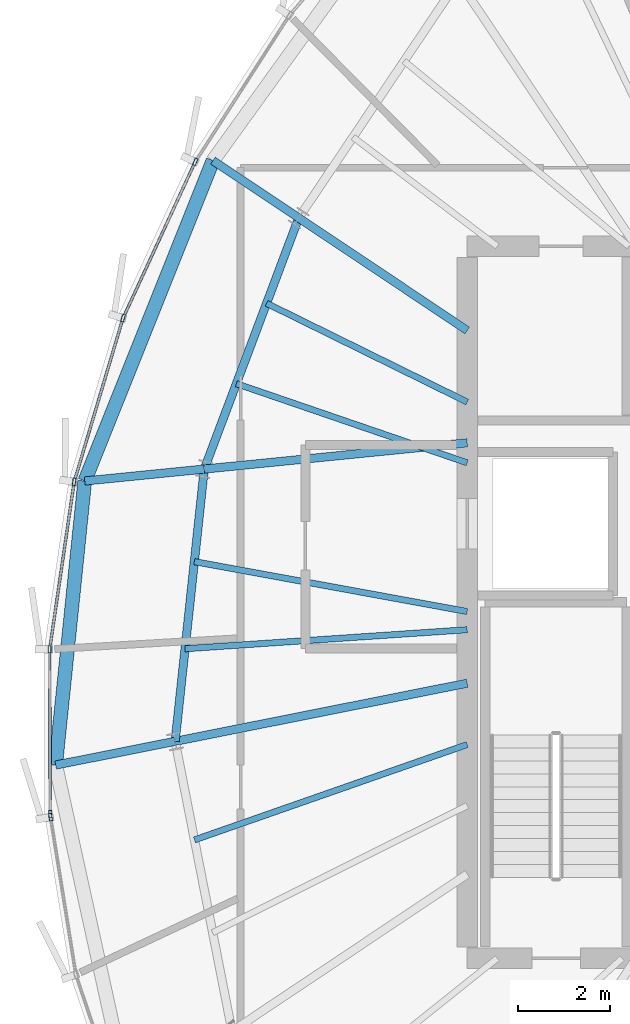
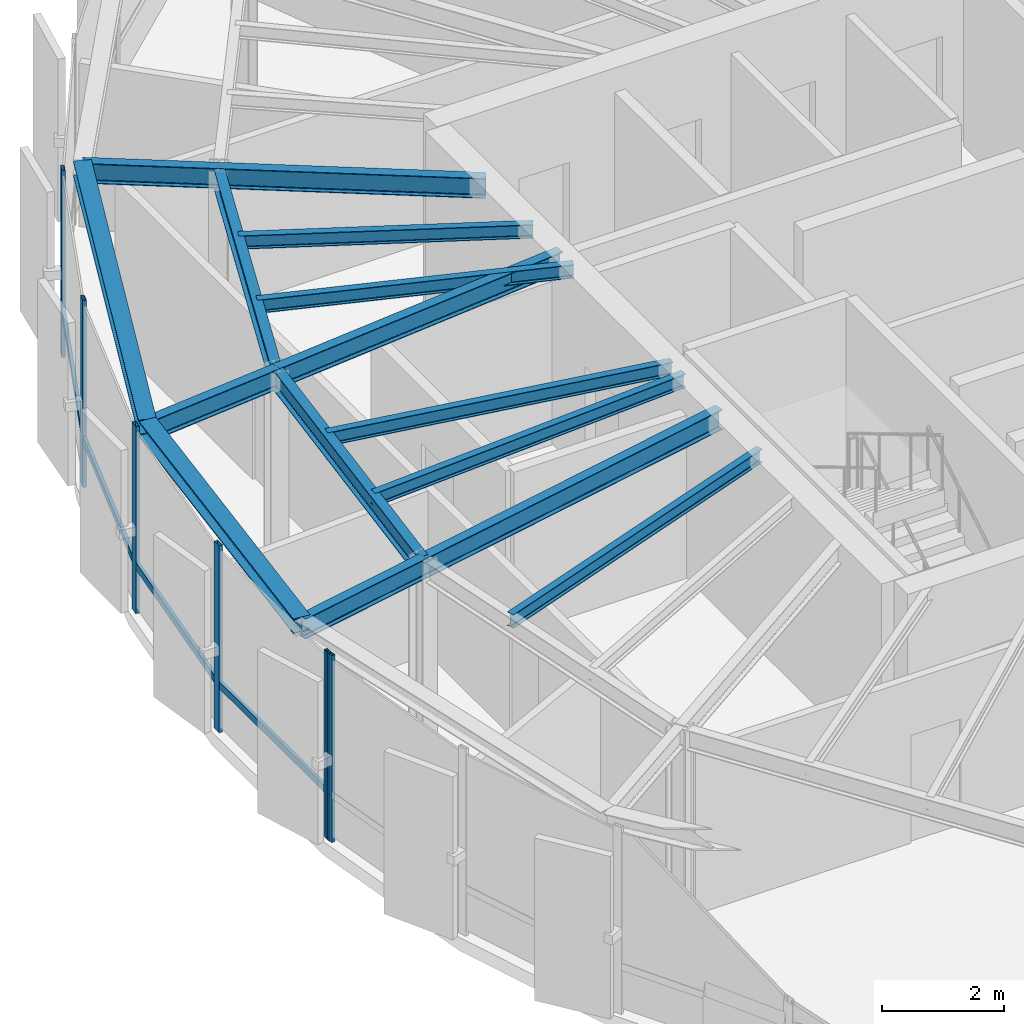
# One storey, part 10 of 27: 15 beams, 10 members, 2 elements without a shape of their own.
"""IFC4 building model written with IfcOpenShell, lengths in metres."""

from ifc_helpers import new_model, si_unit, direction, frame, origin, origin_2d, place, context, subcontext, project, spatial, hollow_rectangle, i_section, extrude, source, transform, mapped, material, layer, layer_set, material_profile, profile_set, type_object, element, aggregate, save


model = new_model("IFC4")

# Units and contexts
model_context = context("Model", 3, precision=1e-05, world=origin(), true_north=direction((0.0, 1.0)))
body_context = subcontext(model_context, "Body", "Model", "MODEL_VIEW")
ifc_project = project(units=[si_unit("LENGTHUNIT", "METRE"), si_unit("AREAUNIT", "SQUARE_METRE"), si_unit("VOLUMEUNIT", "CUBIC_METRE"), si_unit("PLANEANGLEUNIT", "RADIAN"), si_unit("MASSUNIT", "GRAM", prefix="KILO"), si_unit("THERMODYNAMICTEMPERATUREUNIT", "KELVIN")], contexts=[model_context])

# Site, building, storey
site_placement = place(None, origin())
site = spatial("IfcSite", under=ifc_project, at=site_placement, CompositionType="ELEMENT")
building_placement = place(site_placement, origin())
building = spatial("IfcBuilding", under=site, at=building_placement, Name="Kethvar Cultural Tower", CompositionType="ELEMENT")
storey_placement = place(building_placement, frame((0.0, 0.0, 312.300048828125)))
storey = spatial("IfcBuildingStorey", under=building, at=storey_placement, Name="L83", CompositionType="ELEMENT", Elevation=312.300048828125)

# Beams
ifc_material_1 = material(Name="Steel S355J2", Category="steel")
ifc_material_profile_1 = material_profile(ifc_material_1, i_section(OverallWidth=0.135009765625, OverallDepth=0.27001953125, WebThickness=0.006591796875, FlangeThickness=0.01025390625, FilletRadius=0.014892578125, at=origin_2d()), Name="Steel S355J2 — IPE270")
ifc_profile_set_1 = profile_set([ifc_material_profile_1], Name="Steel S355J2 — IPE270")
beam_type_1 = type_object("IfcBeamType", Name="BM-J270", PredefinedType="JOIST", material=ifc_profile_set_1)
shared_shape_1 = source(origin(), body_context, "Body", "SweptSolid", [
    extrude(i_section(OverallWidth=0.135009765625, OverallDepth=0.27001953125, WebThickness=0.006591796875, FlangeThickness=0.01025390625, FilletRadius=0.014892578125, at=origin_2d()), origin(), (0.0, 0.0, 1.0), 4.8359375),
])
beam_1_placement = place(storey_placement, frame((38.0, 32.1318359375, 3.597900390625), z_axis=(-0.897196527088, 0.441631511308, 0.0), x_axis=(-0.441631511308, -0.897196527088, 0.0)))
element("IfcBeam", 1, at=beam_1_placement, inside=storey, type_object=beam_type_1, Name="L83 Composite Floor Joist J-07A", PredefinedType="JOIST", context=body_context, shape_type="MappedRepresentation", body=[
    mapped(shared_shape_1, transform((0.0, 0.0, 0.0), scale=1.0)),
])
shared_shape_2 = source(origin(), body_context, "Body", "SweptSolid", [
    extrude(i_section(OverallWidth=0.135009765625, OverallDepth=0.27001953125, WebThickness=0.006591796875, FlangeThickness=0.01025390625, FilletRadius=0.014892578125, at=origin_2d()), origin(), (0.0, 0.0, 1.0), 5.2783203125),
])
beam_2_placement = place(storey_placement, frame((38.0, 30.817138671875, 3.597900390625), z_axis=(-0.945942702368, 0.324333784607, 0.0), x_axis=(-0.324333784607, -0.945942702368, 0.0)))
element("IfcBeam", 2, at=beam_2_placement, inside=storey, type_object=beam_type_1, Name="L83 Composite Floor Joist J-07B", PredefinedType="JOIST", context=body_context, shape_type="MappedRepresentation", body=[
    mapped(shared_shape_2, transform((0.0, 0.0, 0.0), scale=1.0)),
])
shared_shape_3 = source(origin(), body_context, "Body", "SweptSolid", [
    extrude(i_section(OverallWidth=0.135009765625, OverallDepth=0.27001953125, WebThickness=0.006591796875, FlangeThickness=0.01025390625, FilletRadius=0.014892578125, at=origin_2d()), origin(), (0.0, 0.0, 1.0), 5.99951171875),
])
beam_3_placement = place(storey_placement, frame((38.0, 27.60009765625, 3.597900390625), z_axis=(-0.983676616141, 0.179945310742, 0.0), x_axis=(-0.179945310742, -0.983676616141, 0.0)))
element("IfcBeam", 3, at=beam_3_placement, inside=storey, type_object=beam_type_1, Name="L83 Composite Floor Joist J-08A", PredefinedType="JOIST", context=body_context, shape_type="MappedRepresentation", body=[
    mapped(shared_shape_3, transform((0.0, 0.0, 0.0), scale=1.0)),
])
shared_shape_4 = source(origin(), body_context, "Body", "SweptSolid", [
    extrude(i_section(OverallWidth=0.135009765625, OverallDepth=0.27001953125, WebThickness=0.006591796875, FlangeThickness=0.01025390625, FilletRadius=0.014892578125, at=origin_2d()), origin(), (0.0, 0.0, 1.0), 6.116943359375),
])
beam_4_placement = place(storey_placement, frame((38.0, 27.206787109375, 3.597900390625), z_axis=(-0.997733289627, -0.067292516454, 0.0), x_axis=(0.067292516454, -0.997733289627, 0.0)))
element("IfcBeam", 4, at=beam_4_placement, inside=storey, type_object=beam_type_1, Name="L83 Composite Floor Joist J-08B", PredefinedType="JOIST", context=body_context, shape_type="MappedRepresentation", body=[
    mapped(shared_shape_4, transform((0.0, 0.0, 0.0), scale=1.0)),
])
shared_shape_5 = source(origin(), body_context, "Body", "SweptSolid", [
    extrude(i_section(OverallWidth=0.135009765625, OverallDepth=0.27001953125, WebThickness=0.006591796875, FlangeThickness=0.01025390625, FilletRadius=0.014892578125, at=origin_2d()), origin(), (0.0, 0.0, 1.0), 6.248779296875),
])
beam_5_placement = place(storey_placement, frame((38.0, 24.722900390625, 3.597900390625), z_axis=(-0.943960031743, -0.330059780148, 0.0), x_axis=(0.330059780148, -0.943960031743, 0.0)))
element("IfcBeam", 5, at=beam_5_placement, inside=storey, type_object=beam_type_1, Name="L83 Composite Floor Joist J-09A", PredefinedType="JOIST", context=body_context, shape_type="MappedRepresentation", body=[
    mapped(shared_shape_5, transform((0.0, 0.0, 0.0), scale=1.0)),
])
ifc_material_profile_2 = material_profile(ifc_material_1, i_section(OverallWidth=0.179931640625, OverallDepth=0.39990234375, WebThickness=0.008544921875, FlangeThickness=0.013427734375, FilletRadius=0.02099609375, at=origin_2d()), Name="Steel S355J2 — IPE400")
ifc_profile_set_2 = profile_set([ifc_material_profile_2], Name="Steel S355J2 — IPE400")
beam_type_2 = type_object("IfcBeamType", Name="BM-IPE400", PredefinedType="BEAM", material=ifc_profile_set_2)
shared_shape_6 = source(origin(), body_context, "Body", "SweptSolid", [
    extrude(i_section(OverallWidth=0.179931640625, OverallDepth=0.39990234375, WebThickness=0.008544921875, FlangeThickness=0.013427734375, FilletRadius=0.02099609375, at=origin_2d()), origin(), (0.0, 0.0, 1.0), 4.3828125),
])
beam_6_placement = place(storey_placement, frame((38.0, 33.679931640625, 3.532958984375), z_axis=(-0.831449909861, 0.555599718676, 0.0), x_axis=(-0.555599718676, -0.831449909861, 0.0)))
element("IfcBeam", 6, at=beam_6_placement, inside=storey, type_object=beam_type_2, Name="L83 Primary Radial Beam RB-07", PredefinedType="BEAM", context=body_context, shape_type="MappedRepresentation", body=[
    mapped(shared_shape_6, transform((0.0, 0.0, 0.0), scale=1.0)),
])
shared_shape_7 = source(origin(), body_context, "Body", "SweptSolid", [
    extrude(i_section(OverallWidth=0.179931640625, OverallDepth=0.39990234375, WebThickness=0.008544921875, FlangeThickness=0.013427734375, FilletRadius=0.02099609375, at=origin_2d()), origin(), (0.0, 0.0, 1.0), 5.7158203125),
])
beam_7_placement = place(storey_placement, frame((38.0, 31.25, 3.532958984375), z_axis=(-0.995048179628, -0.099393763478, 0.0), x_axis=(0.099393763478, -0.995048179628, 0.0)))
element("IfcBeam", 7, at=beam_7_placement, inside=storey, type_object=beam_type_2, Name="L83 Primary Radial Beam RB-08", PredefinedType="BEAM", context=body_context, shape_type="MappedRepresentation", body=[
    mapped(shared_shape_7, transform((0.0, 0.0, 0.0), scale=1.0)),
])
shared_shape_8 = source(origin(), body_context, "Body", "SweptSolid", [
    extrude(i_section(OverallWidth=0.179931640625, OverallDepth=0.39990234375, WebThickness=0.008544921875, FlangeThickness=0.013427734375, FilletRadius=0.02099609375, at=origin_2d()), origin(), (0.0, 0.0, 1.0), 6.440673828125),
])
beam_8_placement = place(storey_placement, frame((38.0, 26.049560546875, 3.532958984375), z_axis=(-0.980782804096, -0.195102770839, 0.0), x_axis=(0.195102770839, -0.980782804096, 0.0)))
element("IfcBeam", 8, at=beam_8_placement, inside=storey, type_object=beam_type_2, Name="L83 Primary Radial Beam RB-09", PredefinedType="BEAM", context=body_context, shape_type="MappedRepresentation", body=[
    mapped(shared_shape_8, transform((0.0, 0.0, 0.0), scale=1.0)),
])
shared_shape_9 = source(origin(), body_context, "Body", "SweptSolid", [
    extrude(i_section(OverallWidth=0.179931640625, OverallDepth=0.39990234375, WebThickness=0.008544921875, FlangeThickness=0.013427734375, FilletRadius=0.02099609375, at=origin_2d()), origin(), (0.0, 0.0, 1.0), 5.8046875),
])
beam_9_placement = place(storey_placement, frame((34.35595703125, 36.114990234375, 3.532958984375), z_axis=(-0.352035902861, -0.935986497283, 0.0), x_axis=(0.935986497283, -0.352035902861, 0.0)))
element("IfcBeam", 9, at=beam_9_placement, inside=storey, type_object=beam_type_2, Name="L83 Column Ring Tie Beam CR-07", PredefinedType="BEAM", context=body_context, shape_type="MappedRepresentation", body=[
    mapped(shared_shape_9, transform((0.0, 0.0, 0.0), scale=1.0)),
])
shared_shape_10 = source(origin(), body_context, "Body", "SweptSolid", [
    extrude(i_section(OverallWidth=0.179931640625, OverallDepth=0.39990234375, WebThickness=0.008544921875, FlangeThickness=0.013427734375, FilletRadius=0.02099609375, at=origin_2d()), origin(), (0.0, 0.0, 1.0), 5.92236328125),
])
beam_10_placement = place(storey_placement, frame((32.3125, 30.681884765625, 3.532958984375), z_axis=(-0.106272578913, -0.994337034899, 0.0), x_axis=(0.994337034899, -0.106272578913, 0.0)))
element("IfcBeam", 10, at=beam_10_placement, inside=storey, type_object=beam_type_2, Name="L83 Column Ring Tie Beam CR-08", PredefinedType="BEAM", context=body_context, shape_type="MappedRepresentation", body=[
    mapped(shared_shape_10, transform((0.0, 0.0, 0.0), scale=1.0)),
])
shared_shape_11 = source(origin(), body_context, "Body", "SweptSolid", [
    extrude(i_section(OverallWidth=0.179931640625, OverallDepth=0.39990234375, WebThickness=0.008544921875, FlangeThickness=0.013427734375, FilletRadius=0.02099609375, at=origin_2d()), origin(), (0.0, 0.0, 1.0), 2.23095703125),
])
beam_11_placement = place(storey_placement, frame((34.35595703125, 36.114990234375, 3.532958984375), z_axis=(-0.831460578312, 0.555583753105, 0.0), x_axis=(-0.555583753105, -0.831460578312, 0.0)))
element("IfcBeam", 11, at=beam_11_placement, inside=storey, type_object=beam_type_2, Name="L83 Perimeter Cantilever Beam RC-07", PredefinedType="BEAM", context=body_context, shape_type="MappedRepresentation", body=[
    mapped(shared_shape_11, transform((0.0, 0.0, 0.0), scale=1.0)),
])
shared_shape_12 = source(origin(), body_context, "Body", "SweptSolid", [
    extrude(i_section(OverallWidth=0.179931640625, OverallDepth=0.39990234375, WebThickness=0.008544921875, FlangeThickness=0.013427734375, FilletRadius=0.02099609375, at=origin_2d()), origin(), (0.0, 0.0, 1.0), 2.59765625),
])
beam_12_placement = place(storey_placement, frame((32.3125, 30.681884765625, 3.532958984375), z_axis=(-0.99504370205, -0.099438579085, 0.0), x_axis=(0.099438579085, -0.99504370205, 0.0)))
element("IfcBeam", 12, at=beam_12_placement, inside=storey, type_object=beam_type_2, Name="L83 Perimeter Cantilever Beam RC-08", PredefinedType="BEAM", context=body_context, shape_type="MappedRepresentation", body=[
    mapped(shared_shape_12, transform((0.0, 0.0, 0.0), scale=1.0)),
])
shared_shape_13 = source(origin(), body_context, "Body", "SweptSolid", [
    extrude(i_section(OverallWidth=0.179931640625, OverallDepth=0.39990234375, WebThickness=0.008544921875, FlangeThickness=0.013427734375, FilletRadius=0.02099609375, at=origin_2d()), origin(), (0.0, 0.0, 1.0), 2.63623046875),
])
beam_13_placement = place(storey_placement, frame((31.68310546875, 24.79296875, 3.532958984375), z_axis=(-0.980797343447, -0.195029667198, 0.0), x_axis=(0.195029667198, -0.980797343447, 0.0)))
element("IfcBeam", 13, at=beam_13_placement, inside=storey, type_object=beam_type_2, Name="L83 Perimeter Cantilever Beam RC-09", PredefinedType="BEAM", context=body_context, shape_type="MappedRepresentation", body=[
    mapped(shared_shape_13, transform((0.0, 0.0, 0.0), scale=1.0)),
])
ifc_material_profile_3 = material_profile(ifc_material_1, i_section(OverallWidth=0.300048828125, OverallDepth=0.300048828125, WebThickness=0.010986328125, FlangeThickness=0.01904296875, FilletRadius=0.027099609375, at=origin_2d()), Name="Steel S355J2 — HEB300")
ifc_profile_set_3 = profile_set([ifc_material_profile_3], Name="Steel S355J2 — HEB300")
beam_type_3 = type_object("IfcBeamType", Name="BM-SP300", PredefinedType="SPANDREL", material=ifc_profile_set_3)
shared_shape_14 = source(origin(), body_context, "Body", "SweptSolid", [
    extrude(i_section(OverallWidth=0.300048828125, OverallDepth=0.300048828125, WebThickness=0.010986328125, FlangeThickness=0.01904296875, FilletRadius=0.027099609375, at=origin_2d()), origin(), (0.0, 0.0, 1.0), 7.465087890625),
])
beam_14_placement = place(storey_placement, frame((32.5009765625, 37.3544921875, 3.5830078125), z_axis=(-0.37148653139, -0.928438343131, 0.0), x_axis=(0.928438343131, -0.37148653139, 0.0)))
element("IfcBeam", 14, at=beam_14_placement, inside=storey, type_object=beam_type_3, Name="L83 Perimeter Spandrel Beam SP-07", PredefinedType="SPANDREL", context=body_context, shape_type="MappedRepresentation", body=[
    mapped(shared_shape_14, transform((0.0, 0.0, 0.0), scale=1.0)),
])
shared_shape_15 = source(origin(), body_context, "Body", "SweptSolid", [
    extrude(i_section(OverallWidth=0.300048828125, OverallDepth=0.300048828125, WebThickness=0.010986328125, FlangeThickness=0.01904296875, FilletRadius=0.027099609375, at=origin_2d()), origin(), (0.0, 0.0, 1.0), 6.177001953125),
])
beam_15_placement = place(storey_placement, frame((29.727783203125, 30.423583984375, 3.5830078125), z_axis=(-0.10205092896, -0.994779175445, 0.0), x_axis=(0.994779175445, -0.10205092896, 0.0)))
element("IfcBeam", 15, at=beam_15_placement, inside=storey, type_object=beam_type_3, Name="L83 Perimeter Spandrel Beam SP-08", PredefinedType="SPANDREL", context=body_context, shape_type="MappedRepresentation", body=[
    mapped(shared_shape_15, transform((0.0, 0.0, 0.0), scale=1.0)),
])

# Curtain wall, members
ifc_material_2 = material(Name="Aluminium 6063-T6", Category="aluminium")
ifc_layer = layer(ifc_material_2, 0.179931640625, Name="Aluminium 6063-T6", Category="aluminium")
ifc_layer_set = layer_set([ifc_layer], Name="Aluminium 6063-T6 (180 mm)")
curtain_wall_type = type_object("IfcCurtainWallType", Name="CW-SYS-06-CROWN", PredefinedType="NOTDEFINED", material=ifc_layer_set)
curtain_wall_1_placement = place(storey_placement, origin())
curtain_wall_1 = element("IfcCurtainWall", 16, at=curtain_wall_1_placement, inside=storey, type_object=curtain_wall_type, Name="L83 Curtain Wall Run 02", PredefinedType="NOTDEFINED")
ifc_material_profile_4 = material_profile(ifc_material_2, hollow_rectangle(XDim=0.06494140625, YDim=0.159912109375, WallThickness=0.0048828125, at=origin_2d()), Name="Aluminium 6063-T6 — RHS160x65x5")
ifc_profile_set_4 = profile_set([ifc_material_profile_4], Name="Aluminium 6063-T6 — RHS160x65x5")
member_type_1 = type_object("IfcMemberType", Name="CW-SYS-06-CROWN-MUL", PredefinedType="MULLION", material=ifc_profile_set_4)
shared_shape_16 = source(origin(), body_context, "Body", "SweptSolid", [
    extrude(hollow_rectangle(XDim=0.06494140625, YDim=0.159912109375, WallThickness=0.0048828125, at=origin_2d()), origin(), (0.0, 0.0, 1.0), 3.73486328125),
])
member_1_placement = place(storey_placement, frame((32.116455078125, 37.326416015625, 0.0), z_axis=(0.0, 0.0, 1.0), x_axis=(0.90796041261, -0.419055949883, 0.0)))
member_1 = element("IfcMember", 17, at=member_1_placement, type_object=member_type_1, Name="CW-L83-R02 Mullion 3", PredefinedType="MULLION", context=body_context, shape_type="MappedRepresentation", body=[
    mapped(shared_shape_16, transform((0.0, 0.0, 0.0), scale=1.0)),
])
member_2_placement = place(storey_placement, frame((30.555419921875, 33.947509765625, 0.0), z_axis=(0.0, 0.0, 1.0), x_axis=(0.958332546287, -0.285654915462, 0.0)))
member_2 = element("IfcMember", 18, at=member_2_placement, type_object=member_type_1, Name="CW-L83-R02 Mullion 4", PredefinedType="MULLION", context=body_context, shape_type="MappedRepresentation", body=[
    mapped(shared_shape_16, transform((0.0, 0.0, 0.0), scale=1.0)),
])
member_3_placement = place(storey_placement, frame((29.498291015625, 30.4052734375, 0.0), z_axis=(0.0, 0.0, 1.0), x_axis=(0.989498056432, -0.144546173653, 0.0)))
member_3 = element("IfcMember", 19, at=member_3_placement, type_object=member_type_1, Name="CW-L83-R02 Mullion 5", PredefinedType="MULLION", context=body_context, shape_type="MappedRepresentation", body=[
    mapped(shared_shape_16, transform((0.0, 0.0, 0.0), scale=1.0)),
])
member_4_placement = place(storey_placement, frame((28.968017578125, 26.783935546875, 0.0), z_axis=(0.0, 0.0, 1.0), x_axis=(0.9999925611, 0.003857168083, 0.0)))
member_4 = element("IfcMember", 20, at=member_4_placement, type_object=member_type_1, Name="CW-L83-R02 Mullion 6", PredefinedType="MULLION", context=body_context, shape_type="MappedRepresentation", body=[
    mapped(shared_shape_16, transform((0.0, 0.0, 0.0), scale=1.0)),
])
member_5_placement = place(storey_placement, frame((28.981689453125, 23.21826171875, 0.0), z_axis=(0.0, 0.0, 1.0), x_axis=(0.9999925611, 0.003857168083, 0.0)))
member_5 = element("IfcMember", 21, at=member_5_placement, type_object=member_type_1, Name="CW-L83-R02 Mullion 7", PredefinedType="MULLION", context=body_context, shape_type="MappedRepresentation", body=[
    mapped(shared_shape_16, transform((0.0, 0.0, 0.0), scale=1.0)),
])

# Curtain wall, member
curtain_wall_2_placement = place(storey_placement, origin())
curtain_wall_2 = element("IfcCurtainWall", 22, at=curtain_wall_2_placement, inside=storey, type_object=curtain_wall_type, Name="L83 Curtain Wall Run 03", PredefinedType="NOTDEFINED")
member_6_placement = place(storey_placement, frame((28.987060546875, 23.15283203125, 0.0), z_axis=(0.0, 0.0, 1.0), x_axis=(0.987258753922, 0.159123074391, 0.0)))
member_6 = element("IfcMember", 23, at=member_6_placement, type_object=member_type_1, Name="CW-L83-R03 Mullion 1", PredefinedType="MULLION", context=body_context, shape_type="MappedRepresentation", body=[
    mapped(shared_shape_16, transform((0.0, 0.0, 0.0), scale=1.0)),
])
aggregate(curtain_wall_2, [member_6])

# Member
ifc_material_profile_5 = material_profile(ifc_material_2, hollow_rectangle(XDim=0.06005859375, YDim=0.139892578125, WallThickness=0.0048828125, at=origin_2d()), Name="Aluminium 6063-T6 — RHS140x60x5")
ifc_profile_set_5 = profile_set([ifc_material_profile_5], Name="Aluminium 6063-T6 — RHS140x60x5")
member_type_2 = type_object("IfcMemberType", Name="CW-SYS-06-CROWN-TRN", PredefinedType="USERDEFINED", material=ifc_profile_set_5)
shared_shape_17 = source(origin(), body_context, "Body", "SweptSolid", [
    extrude(hollow_rectangle(XDim=0.06005859375, YDim=0.139892578125, WallThickness=0.0048828125, at=origin_2d()), origin(), (0.0, 0.0, 1.0), 3.6455078125),
])
member_7_placement = place(storey_placement, frame((32.0966796875, 37.283935546875, 0.949951171875), z_axis=(-0.419028449292, -0.907973104604, 0.0), x_axis=(0.907973104604, -0.419028449292, 0.0)))
member_7 = element("IfcMember", 24, at=member_7_placement, type_object=member_type_2, Name="CW-L83-R02 Transom 3", ObjectType="TRANSOM", PredefinedType="USERDEFINED", context=body_context, shape_type="MappedRepresentation", body=[
    mapped(shared_shape_17, transform((0.0, 0.0, 0.0), scale=1.0)),
])

shared_shape_18 = source(origin(), body_context, "Body", "SweptSolid", [
    extrude(hollow_rectangle(XDim=0.06005859375, YDim=0.139892578125, WallThickness=0.0048828125, at=origin_2d()), origin(), (0.0, 0.0, 1.0), 3.620361328125),
])
member_8_placement = place(storey_placement, frame((30.5419921875, 33.902587890625, 0.949951171875), z_axis=(-0.285596513211, -0.958349952596, 0.0), x_axis=(0.958349952596, -0.285596513211, 0.0)))
member_8 = element("IfcMember", 25, at=member_8_placement, type_object=member_type_2, Name="CW-L83-R02 Transom 4", ObjectType="TRANSOM", PredefinedType="USERDEFINED", context=body_context, shape_type="MappedRepresentation", body=[
    mapped(shared_shape_18, transform((0.0, 0.0, 0.0), scale=1.0)),
])

shared_shape_19 = source(origin(), body_context, "Body", "SweptSolid", [
    extrude(hollow_rectangle(XDim=0.06005859375, YDim=0.139892578125, WallThickness=0.0048828125, at=origin_2d()), origin(), (0.0, 0.0, 1.0), 3.583984375),
])
member_9_placement = place(storey_placement, frame((29.49169921875, 30.35888671875, 0.949951171875), z_axis=(-0.144615372978, -0.989487945302, 0.0), x_axis=(0.989487945302, -0.144615372978, 0.0)))
member_9 = element("IfcMember", 26, at=member_9_placement, type_object=member_type_2, Name="CW-L83-R02 Transom 5", ObjectType="TRANSOM", PredefinedType="USERDEFINED", context=body_context, shape_type="MappedRepresentation", body=[
    mapped(shared_shape_19, transform((0.0, 0.0, 0.0), scale=1.0)),
])

shared_shape_20 = source(origin(), body_context, "Body", "SweptSolid", [
    extrude(hollow_rectangle(XDim=0.06005859375, YDim=0.139892578125, WallThickness=0.0048828125, at=origin_2d()), origin(), (0.0, 0.0, 1.0), 3.514404296875),
])
member_10_placement = place(storey_placement, frame((28.96826171875, 26.7373046875, 0.949951171875), z_axis=(0.003820743213, -0.999992700934, 0.0), x_axis=(0.999992700934, 0.003820743213, 0.0)))
member_10 = element("IfcMember", 27, at=member_10_placement, type_object=member_type_2, Name="CW-L83-R02 Transom 6", ObjectType="TRANSOM", PredefinedType="USERDEFINED", context=body_context, shape_type="MappedRepresentation", body=[
    mapped(shared_shape_20, transform((0.0, 0.0, 0.0), scale=1.0)),
])

aggregate(curtain_wall_1, [member_1, member_2, member_3, member_4, member_5, member_7, member_8, member_9, member_10])

save(model, "model.ifc")
